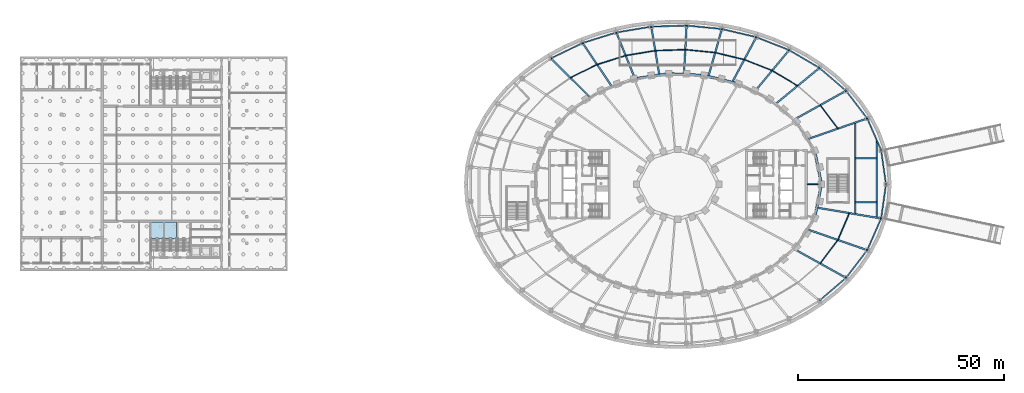
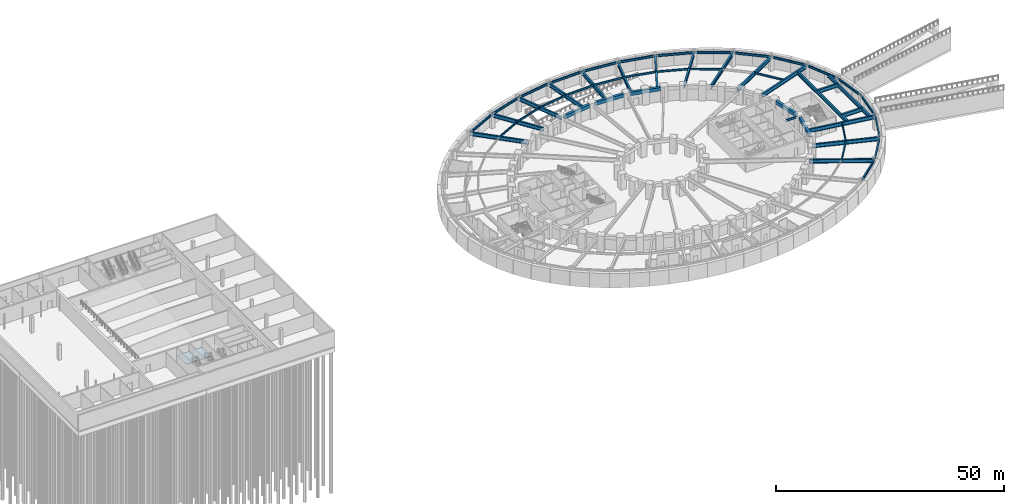
# One storey, part 9 of 32: 51 beams, 2 slabs, 2 elements without a shape of their own.
"""IFC4 building model written with IfcOpenShell, lengths in metres."""

from ifc_helpers import new_model, si_unit, direction, frame, origin, origin_2d, place, context, subcontext, project, spatial, polyline, rectangle, i_section, outline, extrude, material, layer, layer_set, material_profile, profile_set, type_object, element, aggregate, save


model = new_model("IFC4")

# Units and contexts
model_context = context("Model", 3, precision=1e-05, world=origin(), true_north=direction((0.0, 1.0)))
body_context = subcontext(model_context, "Body", "Model", "MODEL_VIEW")
ifc_project = project(units=[si_unit("LENGTHUNIT", "METRE"), si_unit("AREAUNIT", "SQUARE_METRE"), si_unit("VOLUMEUNIT", "CUBIC_METRE"), si_unit("PLANEANGLEUNIT", "RADIAN"), si_unit("MASSUNIT", "GRAM", prefix="KILO")], contexts=[model_context])

# Site, building, storey
site_placement = place(None, origin())
site = spatial("IfcSite", under=ifc_project, at=site_placement, CompositionType="ELEMENT")
building_placement = place(site_placement, origin())
building = spatial("IfcBuilding", under=site, at=building_placement, Name="Noorbagh Ring Tower", CompositionType="ELEMENT")
storey_placement = place(building_placement, frame((0.0, 0.0, -4.199951171875)))
storey = spatial("IfcBuildingStorey", under=building, at=storey_placement, Name="B1", CompositionType="ELEMENT", Elevation=-4.199951171875)

# Beams
ifc_material_1 = material(Name="Steel S355", Category="steel")
ifc_material_profile_1 = material_profile(ifc_material_1, i_section(OverallWidth=0.300048828125, OverallDepth=0.60009765625, WebThickness=0.015380859375, FlangeThickness=0.030029296875, FilletRadius=0.027099609375, at=origin_2d()), Name="HEB600")
ifc_profile_set_1 = profile_set([ifc_material_profile_1], Name="Steel S355")
beam_type_1 = type_object("IfcBeamType", Name="GND-EDGE-BEAM-HEB600", PredefinedType="BEAM", material=ifc_profile_set_1)
beam_1_placement = place(storey_placement, frame((50.646484375, 0.0, 3.550048828125), z_axis=(-0.14132764164, 0.989962876934, 0.0), x_axis=(-0.989962876934, -0.14132764164, 0.0)))
element("IfcBeam", 1, at=beam_1_placement, inside=storey, type_object=beam_type_1, Name="B1/bm/ERP-01", PredefinedType="BEAM", context=body_context, shape_type="SweptSolid", body=[
    extrude(i_section(OverallWidth=0.300048828125, OverallDepth=0.60009765625, WebThickness=0.015380859375, FlangeThickness=0.030029296875, FilletRadius=0.027099609375, at=origin_2d()), origin(), (0.0, 0.0, 1.0), 8.388671875),
])
beam_2_placement = place(storey_placement, frame((49.4609375, 8.304443359375, 3.550048828125), z_axis=(-0.401171506371, 0.916002959862, 0.0), x_axis=(-0.916002959862, -0.401171506371, 0.0)))
element("IfcBeam", 2, at=beam_2_placement, inside=storey, type_object=beam_type_1, Name="B1/bm/ERP-02", PredefinedType="BEAM", context=body_context, shape_type="SweptSolid", body=[
    extrude(i_section(OverallWidth=0.300048828125, OverallDepth=0.60009765625, WebThickness=0.015380859375, FlangeThickness=0.030029296875, FilletRadius=0.027099609375, at=origin_2d()), origin(), (0.0, 0.0, 1.0), 8.42431640625),
])
beam_3_placement = place(storey_placement, frame((46.081298828125, 16.021240234375, 3.550048828125), z_axis=(-0.608048680374, 0.793899743227, 0.0), x_axis=(-0.793899743227, -0.608048680374, 0.0)))
element("IfcBeam", 3, at=beam_3_placement, inside=storey, type_object=beam_type_1, Name="B1/bm/ERP-03", PredefinedType="BEAM", context=body_context, shape_type="SweptSolid", body=[
    extrude(i_section(OverallWidth=0.300048828125, OverallDepth=0.60009765625, WebThickness=0.015380859375, FlangeThickness=0.030029296875, FilletRadius=0.027099609375, at=origin_2d()), origin(), (0.0, 0.0, 1.0), 8.4755859375),
])
beam_4_placement = place(storey_placement, frame((40.927734375, 22.75, 3.550048828125), z_axis=(-0.758254861469, 0.651958254076, 0.0), x_axis=(-0.651958254076, -0.758254861469, 0.0)))
element("IfcBeam", 4, at=beam_4_placement, inside=storey, type_object=beam_type_1, Name="B1/bm/ERP-04", PredefinedType="BEAM", context=body_context, shape_type="SweptSolid", body=[
    extrude(i_section(OverallWidth=0.300048828125, OverallDepth=0.60009765625, WebThickness=0.015380859375, FlangeThickness=0.030029296875, FilletRadius=0.027099609375, at=origin_2d()), origin(), (0.0, 0.0, 1.0), 8.5234375),
])
beam_5_placement = place(storey_placement, frame((34.46484375, 28.306884765625, 3.550048828125), z_axis=(-0.8618652907, 0.507137279922, 0.0), x_axis=(-0.507137279922, -0.8618652907, 0.0)))
element("IfcBeam", 5, at=beam_5_placement, inside=storey, type_object=beam_type_1, Name="B1/bm/ERP-05", PredefinedType="BEAM", context=body_context, shape_type="SweptSolid", body=[
    extrude(i_section(OverallWidth=0.300048828125, OverallDepth=0.60009765625, WebThickness=0.015380859375, FlangeThickness=0.030029296875, FilletRadius=0.027099609375, at=origin_2d()), origin(), (0.0, 0.0, 1.0), 8.560302734375),
])
beam_6_placement = place(storey_placement, frame((27.0869140625, 32.648193359375, 3.550048828125), z_axis=(-0.930571668723, 0.366109777758, 0.0), x_axis=(-0.366109777758, -0.930571668723, 0.0)))
element("IfcBeam", 6, at=beam_6_placement, inside=storey, type_object=beam_type_1, Name="B1/bm/ERP-06", PredefinedType="BEAM", context=body_context, shape_type="SweptSolid", body=[
    extrude(i_section(OverallWidth=0.300048828125, OverallDepth=0.60009765625, WebThickness=0.015380859375, FlangeThickness=0.030029296875, FilletRadius=0.027099609375, at=origin_2d()), origin(), (0.0, 0.0, 1.0), 8.58642578125),
])
beam_7_placement = place(storey_placement, frame((19.0966796875, 35.791748046875, 3.550048828125), z_axis=(-0.973167977411, 0.230095822957, 0.0), x_axis=(-0.230095822957, -0.973167977411, 0.0)))
element("IfcBeam", 7, at=beam_7_placement, inside=storey, type_object=beam_type_1, Name="B1/bm/ERP-07", PredefinedType="BEAM", context=body_context, shape_type="SweptSolid", body=[
    extrude(i_section(OverallWidth=0.300048828125, OverallDepth=0.60009765625, WebThickness=0.015380859375, FlangeThickness=0.030029296875, FilletRadius=0.027099609375, at=origin_2d()), origin(), (0.0, 0.0, 1.0), 8.602783203125),
])
beam_8_placement = place(storey_placement, frame((10.724609375, 37.771240234375, 3.550048828125), z_axis=(-0.9951967317, 0.097895174616, 0.0), x_axis=(-0.097895174616, -0.9951967317, 0.0)))
element("IfcBeam", 8, at=beam_8_placement, inside=storey, type_object=beam_type_1, Name="B1/bm/ERP-08", PredefinedType="BEAM", context=body_context, shape_type="SweptSolid", body=[
    extrude(i_section(OverallWidth=0.300048828125, OverallDepth=0.60009765625, WebThickness=0.015380859375, FlangeThickness=0.030029296875, FilletRadius=0.027099609375, at=origin_2d()), origin(), (0.0, 0.0, 1.0), 8.611328125),
])
beam_9_placement = place(storey_placement, frame((2.154541015625, 38.6142578125, 3.550048828125), z_axis=(-0.999468589483, -0.032596604688, 0.0), x_axis=(0.032596604688, -0.999468589483, 0.0)))
element("IfcBeam", 9, at=beam_9_placement, inside=storey, type_object=beam_type_1, Name="B1/bm/ERP-09", PredefinedType="BEAM", context=body_context, shape_type="SweptSolid", body=[
    extrude(i_section(OverallWidth=0.300048828125, OverallDepth=0.60009765625, WebThickness=0.015380859375, FlangeThickness=0.030029296875, FilletRadius=0.027099609375, at=origin_2d()), origin(), (0.0, 0.0, 1.0), 8.61328125),
])
beam_10_placement = place(storey_placement, frame((-6.4541015625, 38.33349609375, 3.550048828125), z_axis=(-0.986523163949, -0.163621658075, 0.0), x_axis=(0.163621658075, -0.986523163949, 0.0)))
element("IfcBeam", 10, at=beam_10_placement, inside=storey, type_object=beam_type_1, Name="B1/bm/ERP-10", PredefinedType="BEAM", context=body_context, shape_type="SweptSolid", body=[
    extrude(i_section(OverallWidth=0.300048828125, OverallDepth=0.60009765625, WebThickness=0.015380859375, FlangeThickness=0.030029296875, FilletRadius=0.027099609375, at=origin_2d()), origin(), (0.0, 0.0, 1.0), 8.60791015625),
])
beam_11_placement = place(storey_placement, frame((-14.946044921875, 36.925048828125, 3.550048828125), z_axis=(-0.954717204091, -0.297514806713, 0.0), x_axis=(0.297514806713, -0.954717204091, 0.0)))
element("IfcBeam", 11, at=beam_11_placement, inside=storey, type_object=beam_type_1, Name="B1/bm/ERP-11", PredefinedType="BEAM", context=body_context, shape_type="SweptSolid", body=[
    extrude(i_section(OverallWidth=0.300048828125, OverallDepth=0.60009765625, WebThickness=0.015380859375, FlangeThickness=0.030029296875, FilletRadius=0.027099609375, at=origin_2d()), origin(), (0.0, 0.0, 1.0), 8.595703125),
])
beam_12_placement = place(storey_placement, frame((-23.152587890625, 34.36767578125, 3.550048828125), z_axis=(-0.89994920641, -0.435994754421, 0.0), x_axis=(0.435994754421, -0.89994920641, 0.0)))
element("IfcBeam", 12, at=beam_12_placement, inside=storey, type_object=beam_type_1, Name="B1/bm/ERP-12", PredefinedType="BEAM", context=body_context, shape_type="SweptSolid", body=[
    extrude(i_section(OverallWidth=0.300048828125, OverallDepth=0.60009765625, WebThickness=0.015380859375, FlangeThickness=0.030029296875, FilletRadius=0.027099609375, at=origin_2d()), origin(), (0.0, 0.0, 1.0), 8.57470703125),
])
beam_13_placement = place(storey_placement, frame((34.46484375, -28.306884765625, 3.550048828125), z_axis=(0.758254861469, 0.651958254076, 0.0), x_axis=(-0.651958254076, 0.758254861469, 0.0)))
element("IfcBeam", 13, at=beam_13_placement, inside=storey, type_object=beam_type_1, Name="B1/bm/ERP-30", PredefinedType="BEAM", context=body_context, shape_type="SweptSolid", body=[
    extrude(i_section(OverallWidth=0.300048828125, OverallDepth=0.60009765625, WebThickness=0.015380859375, FlangeThickness=0.030029296875, FilletRadius=0.027099609375, at=origin_2d()), origin(), (0.0, 0.0, 1.0), 8.5234375),
])
beam_14_placement = place(storey_placement, frame((40.927734375, -22.75, 3.550048828125), z_axis=(0.608048680374, 0.793899743227, 0.0), x_axis=(-0.793899743227, 0.608048680374, 0.0)))
element("IfcBeam", 14, at=beam_14_placement, inside=storey, type_object=beam_type_1, Name="B1/bm/ERP-31", PredefinedType="BEAM", context=body_context, shape_type="SweptSolid", body=[
    extrude(i_section(OverallWidth=0.300048828125, OverallDepth=0.60009765625, WebThickness=0.015380859375, FlangeThickness=0.030029296875, FilletRadius=0.027099609375, at=origin_2d()), origin(), (0.0, 0.0, 1.0), 8.4755859375),
])
beam_15_placement = place(storey_placement, frame((46.081298828125, -16.021240234375, 3.550048828125), z_axis=(0.401171506371, 0.916002959862, 0.0), x_axis=(-0.916002959862, 0.401171506371, 0.0)))
element("IfcBeam", 15, at=beam_15_placement, inside=storey, type_object=beam_type_1, Name="B1/bm/ERP-32", PredefinedType="BEAM", context=body_context, shape_type="SweptSolid", body=[
    extrude(i_section(OverallWidth=0.300048828125, OverallDepth=0.60009765625, WebThickness=0.015380859375, FlangeThickness=0.030029296875, FilletRadius=0.027099609375, at=origin_2d()), origin(), (0.0, 0.0, 1.0), 8.42431640625),
])
beam_16_placement = place(storey_placement, frame((49.4609375, -8.304443359375, 3.550048828125), z_axis=(0.14132764164, 0.989962876934, 0.0), x_axis=(-0.989962876934, 0.14132764164, 0.0)))
element("IfcBeam", 16, at=beam_16_placement, inside=storey, type_object=beam_type_1, Name="B1/bm/ERP-33", PredefinedType="BEAM", context=body_context, shape_type="SweptSolid", body=[
    extrude(i_section(OverallWidth=0.300048828125, OverallDepth=0.60009765625, WebThickness=0.015380859375, FlangeThickness=0.030029296875, FilletRadius=0.027099609375, at=origin_2d()), origin(), (0.0, 0.0, 1.0), 8.388671875),
])
ifc_material_2 = material(Name="Steel S355", Category="steel")
ifc_material_profile_2 = material_profile(ifc_material_2, i_section(OverallWidth=0.39990234375, OverallDepth=1.0, WebThickness=0.01611328125, FlangeThickness=0.0400390625, at=origin_2d()), Name="PG1000x400x16x40")
ifc_profile_set_2 = profile_set([ifc_material_profile_2], Name="Steel S355")
beam_type_2 = type_object("IfcBeamType", Name="GND-GIRDER-PG1000x400x16x40", PredefinedType="BEAM", material=ifc_profile_set_2)
beam_17_placement = place(storey_placement, frame((46.081298828125, 16.021240234375, 3.349853515625), z_axis=(-0.94453989429, -0.328396693185, 0.0), x_axis=(0.328396693185, -0.94453989429, 0.0)))
element("IfcBeam", 17, at=beam_17_placement, inside=storey, type_object=beam_type_2, Name="B1/bm/GRP-03", PredefinedType="BEAM", context=body_context, shape_type="SweptSolid", body=[
    extrude(i_section(OverallWidth=0.39990234375, OverallDepth=1.0, WebThickness=0.01611328125, FlangeThickness=0.0400390625, at=origin_2d()), origin(), (0.0, 0.0, 1.0), 15.12890625),
])
beam_18_placement = place(storey_placement, frame((40.927734375, 22.75, 3.349853515625), z_axis=(-0.874045637009, -0.485843827197, 0.0), x_axis=(0.485843827197, -0.874045637009, 0.0)))
element("IfcBeam", 18, at=beam_18_placement, inside=storey, type_object=beam_type_2, Name="B1/bm/GRP-04", PredefinedType="BEAM", context=body_context, shape_type="SweptSolid", body=[
    extrude(i_section(OverallWidth=0.39990234375, OverallDepth=1.0, WebThickness=0.01611328125, FlangeThickness=0.0400390625, at=origin_2d()), origin(), (0.0, 0.0, 1.0), 14.444580078125),
])
beam_19_placement = place(storey_placement, frame((34.46484375, 28.306884765625, 3.349853515625), z_axis=(-0.772763025599, -0.63469465593, 0.0), x_axis=(0.63469465593, -0.772763025599, 0.0)))
element("IfcBeam", 19, at=beam_19_placement, inside=storey, type_object=beam_type_2, Name="B1/bm/GRP-05", PredefinedType="BEAM", context=body_context, shape_type="SweptSolid", body=[
    extrude(i_section(OverallWidth=0.39990234375, OverallDepth=1.0, WebThickness=0.01611328125, FlangeThickness=0.0400390625, at=origin_2d()), origin(), (0.0, 0.0, 1.0), 13.723388671875),
])
beam_20_placement = place(storey_placement, frame((27.0869140625, 32.648193359375, 3.349853515625), z_axis=(-0.638516852805, -0.769607840841, 0.0), x_axis=(0.769607840841, -0.638516852805, 0.0)))
element("IfcBeam", 20, at=beam_20_placement, inside=storey, type_object=beam_type_2, Name="B1/bm/GRP-06", PredefinedType="BEAM", context=body_context, shape_type="SweptSolid", body=[
    extrude(i_section(OverallWidth=0.39990234375, OverallDepth=1.0, WebThickness=0.01611328125, FlangeThickness=0.0400390625, at=origin_2d()), origin(), (0.0, 0.0, 1.0), 12.943603515625),
])
beam_21_placement = place(storey_placement, frame((19.0966796875, 35.791748046875, 3.349853515625), z_axis=(-0.470746944877, -0.88226827773, 0.0), x_axis=(0.88226827773, -0.470746944877, 0.0)))
element("IfcBeam", 21, at=beam_21_placement, inside=storey, type_object=beam_type_2, Name="B1/bm/GRP-07", PredefinedType="BEAM", context=body_context, shape_type="SweptSolid", body=[
    extrude(i_section(OverallWidth=0.39990234375, OverallDepth=1.0, WebThickness=0.01611328125, FlangeThickness=0.0400390625, at=origin_2d()), origin(), (0.0, 0.0, 1.0), 12.375),
])
beam_22_placement = place(storey_placement, frame((10.724609375, 37.771240234375, 3.349853515625), z_axis=(-0.273130016452, -0.961977127645, 0.0), x_axis=(0.961977127645, -0.273130016452, 0.0)))
element("IfcBeam", 22, at=beam_22_placement, inside=storey, type_object=beam_type_2, Name="B1/bm/GRP-08", PredefinedType="BEAM", context=body_context, shape_type="SweptSolid", body=[
    extrude(i_section(OverallWidth=0.39990234375, OverallDepth=1.0, WebThickness=0.01611328125, FlangeThickness=0.0400390625, at=origin_2d()), origin(), (0.0, 0.0, 1.0), 11.939208984375),
])
beam_23_placement = place(storey_placement, frame((2.154541015625, 38.6142578125, 3.349853515625), z_axis=(-0.055716608816, -0.998446623261, 0.0), x_axis=(0.998446623261, -0.055716608816, 0.0)))
element("IfcBeam", 23, at=beam_23_placement, inside=storey, type_object=beam_type_2, Name="B1/bm/GRP-09", PredefinedType="BEAM", context=body_context, shape_type="SweptSolid", body=[
    extrude(i_section(OverallWidth=0.39990234375, OverallDepth=1.0, WebThickness=0.01611328125, FlangeThickness=0.0400390625, at=origin_2d()), origin(), (0.0, 0.0, 1.0), 11.734619140625),
])
beam_24_placement = place(storey_placement, frame((-6.4541015625, 38.33349609375, 3.349853515625), z_axis=(0.166032765637, -0.986120236449, 0.0), x_axis=(0.986120236449, 0.166032765637, 0.0)))
element("IfcBeam", 24, at=beam_24_placement, inside=storey, type_object=beam_type_2, Name="B1/bm/GRP-10", PredefinedType="BEAM", context=body_context, shape_type="SweptSolid", body=[
    extrude(i_section(OverallWidth=0.39990234375, OverallDepth=1.0, WebThickness=0.01611328125, FlangeThickness=0.0400390625, at=origin_2d()), origin(), (0.0, 0.0, 1.0), 11.82373046875),
])
beam_25_placement = place(storey_placement, frame((-14.946044921875, 36.925048828125, 3.349853515625), z_axis=(0.375201842514, -0.926943135998, 0.0), x_axis=(0.926943135998, 0.375201842514, 0.0)))
element("IfcBeam", 25, at=beam_25_placement, inside=storey, type_object=beam_type_2, Name="B1/bm/GRP-11", PredefinedType="BEAM", context=body_context, shape_type="SweptSolid", body=[
    extrude(i_section(OverallWidth=0.39990234375, OverallDepth=1.0, WebThickness=0.01611328125, FlangeThickness=0.0400390625, at=origin_2d()), origin(), (0.0, 0.0, 1.0), 12.094970703125),
])
beam_26_placement = place(storey_placement, frame((-23.152587890625, 34.36767578125, 3.349853515625), z_axis=(0.558711358029, -0.829362175656, 0.0), x_axis=(0.829362175656, 0.558711358029, 0.0)))
element("IfcBeam", 26, at=beam_26_placement, inside=storey, type_object=beam_type_2, Name="B1/bm/GRP-12", PredefinedType="BEAM", context=body_context, shape_type="SweptSolid", body=[
    extrude(i_section(OverallWidth=0.39990234375, OverallDepth=1.0, WebThickness=0.01611328125, FlangeThickness=0.0400390625, at=origin_2d()), origin(), (0.0, 0.0, 1.0), 12.6630859375),
])
beam_27_placement = place(storey_placement, frame((-30.869384765625, 30.629150390625, 3.349853515625), z_axis=(0.70986613718, -0.704336615039, 0.0), x_axis=(0.704336615039, 0.70986613718, 0.0)))
element("IfcBeam", 27, at=beam_27_placement, inside=storey, type_object=beam_type_2, Name="B1/bm/GRP-13", PredefinedType="BEAM", context=body_context, shape_type="SweptSolid", body=[
    extrude(i_section(OverallWidth=0.39990234375, OverallDepth=1.0, WebThickness=0.01611328125, FlangeThickness=0.0400390625, at=origin_2d()), origin(), (0.0, 0.0, 1.0), 13.333984375),
])
beam_28_placement = place(storey_placement, frame((40.927734375, -22.75, 3.349853515625), z_axis=(-0.874045637009, 0.485843827197, 0.0), x_axis=(-0.485843827197, -0.874045637009, 0.0)))
element("IfcBeam", 28, at=beam_28_placement, inside=storey, type_object=beam_type_2, Name="B1/bm/GRP-31", PredefinedType="BEAM", context=body_context, shape_type="SweptSolid", body=[
    extrude(i_section(OverallWidth=0.39990234375, OverallDepth=1.0, WebThickness=0.01611328125, FlangeThickness=0.0400390625, at=origin_2d()), origin(), (0.0, 0.0, 1.0), 14.444580078125),
])
beam_29_placement = place(storey_placement, frame((46.081298828125, -16.021240234375, 3.349853515625), z_axis=(-0.94453989429, 0.328396693185, 0.0), x_axis=(-0.328396693185, -0.94453989429, 0.0)))
element("IfcBeam", 29, at=beam_29_placement, inside=storey, type_object=beam_type_2, Name="B1/bm/GRP-32", PredefinedType="BEAM", context=body_context, shape_type="SweptSolid", body=[
    extrude(i_section(OverallWidth=0.39990234375, OverallDepth=1.0, WebThickness=0.01611328125, FlangeThickness=0.0400390625, at=origin_2d()), origin(), (0.0, 0.0, 1.0), 15.12890625),
])
beam_30_placement = place(storey_placement, frame((49.4609375, -8.304443359375, 3.349853515625), z_axis=(-0.986194768087, 0.165589490602, 0.0), x_axis=(-0.165589490602, -0.986194768087, 0.0)))
element("IfcBeam", 30, at=beam_30_placement, inside=storey, type_object=beam_type_2, Name="B1/bm/GRP-33", PredefinedType="BEAM", context=body_context, shape_type="SweptSolid", body=[
    extrude(i_section(OverallWidth=0.39990234375, OverallDepth=1.0, WebThickness=0.01611328125, FlangeThickness=0.0400390625, at=origin_2d()), origin(), (0.0, 0.0, 1.0), 15.62841796875),
])
beam_31_placement = place(storey_placement, frame((43.14990234375, -7.244873046875, 3.349853515625), z_axis=(0.0, 1.0, 0.0), x_axis=(-1.0, 0.0, 0.0)))
element("IfcBeam", 31, at=beam_31_placement, inside=storey, type_object=beam_type_2, Name="B1/bm/WB-ST-P4-W", PredefinedType="BEAM", context=body_context, shape_type="SweptSolid", body=[
    extrude(i_section(OverallWidth=0.39990234375, OverallDepth=1.0, WebThickness=0.01611328125, FlangeThickness=0.0400390625, at=origin_2d()), origin(), (0.0, 0.0, 1.0), 22.246826171875),
])
beam_32_placement = place(storey_placement, frame((48.39990234375, -8.126220703125, 3.349853515625), z_axis=(0.0, 1.0, 0.0), x_axis=(-1.0, 0.0, 0.0)))
element("IfcBeam", 32, at=beam_32_placement, inside=storey, type_object=beam_type_2, Name="B1/bm/WB-ST-P4-E", PredefinedType="BEAM", context=body_context, shape_type="SweptSolid", body=[
    extrude(i_section(OverallWidth=0.39990234375, OverallDepth=1.0, WebThickness=0.01611328125, FlangeThickness=0.0400390625, at=origin_2d()), origin(), (0.0, 0.0, 1.0), 18.85302734375),
])
for number, where, z_axis, x_axis, name in (
    (33, (43.14990234375, 6.35009765625, 3.349853515625), (1.0, 0.0, 0.0), (0.0, 1.0, 0.0), "B1/bm/WB-ST-P4-N"),
    (34, (43.14990234375, -4.35009765625, 3.349853515625), (1.0, 0.0, 0.0), (0.0, 1.0, 0.0), "B1/bm/WB-ST-P4-S"),
):
    element("IfcBeam", number, at=place(storey_placement, frame(where, z_axis=z_axis, x_axis=x_axis)), inside=storey, type_object=beam_type_2, Name=name, PredefinedType="BEAM", context=body_context, shape_type="SweptSolid", body=[
        extrude(i_section(OverallWidth=0.39990234375, OverallDepth=1.0, WebThickness=0.01611328125, FlangeThickness=0.0400390625, at=origin_2d()), origin(), (0.0, 0.0, 1.0), 5.25),
    ])
ifc_material_3 = material(Name="Steel S355", Category="steel")
ifc_material_profile_3 = material_profile(ifc_material_3, i_section(OverallWidth=0.199951171875, OverallDepth=0.5, WebThickness=0.01025390625, FlangeThickness=0.01611328125, FilletRadius=0.02099609375, at=origin_2d()), Name="IPE500")
ifc_profile_set_3 = profile_set([ifc_material_profile_3], Name="Steel S355")
beam_type_3 = type_object("IfcBeamType", Name="GND-MID-BEAM-IPE500", PredefinedType="JOIST", material=ifc_profile_set_3)
beam_33_placement = place(storey_placement, frame((38.936279296875, 13.537109375, 3.599853515625), z_axis=(-0.603852432952, 0.79709612922, 0.0), x_axis=(-0.79709612922, -0.603852432952, 0.0)))
element("IfcBeam", 35, at=beam_33_placement, inside=storey, type_object=beam_type_3, Name="B1/bm/MRP-03", PredefinedType="JOIST", context=body_context, shape_type="SweptSolid", body=[
    extrude(i_section(OverallWidth=0.199951171875, OverallDepth=0.5, WebThickness=0.01025390625, FlangeThickness=0.01611328125, FilletRadius=0.02099609375, at=origin_2d()), origin(), (0.0, 0.0, 1.0), 7.15576171875),
])
beam_34_placement = place(storey_placement, frame((29.162353515625, 23.951904296875, 3.599853515625), z_axis=(-0.858046251749, 0.513572419293, 0.0), x_axis=(-0.513572419293, -0.858046251749, 0.0)))
element("IfcBeam", 36, at=beam_34_placement, inside=storey, type_object=beam_type_3, Name="B1/bm/MRP-05", PredefinedType="JOIST", context=body_context, shape_type="SweptSolid", body=[
    extrude(i_section(OverallWidth=0.199951171875, OverallDepth=0.5, WebThickness=0.01025390625, FlangeThickness=0.01611328125, FilletRadius=0.02099609375, at=origin_2d()), origin(), (0.0, 0.0, 1.0), 7.23486328125),
])
beam_35_placement = place(storey_placement, frame((22.95458984375, 27.66748046875, 3.599853515625), z_axis=(-0.930496782909, 0.36630006415, 0.0), x_axis=(-0.36630006415, -0.930496782909, 0.0)))
element("IfcBeam", 37, at=beam_35_placement, inside=storey, type_object=beam_type_3, Name="B1/bm/MRP-06", PredefinedType="JOIST", context=body_context, shape_type="SweptSolid", body=[
    extrude(i_section(OverallWidth=0.199951171875, OverallDepth=0.5, WebThickness=0.01025390625, FlangeThickness=0.01611328125, FilletRadius=0.02099609375, at=origin_2d()), origin(), (0.0, 0.0, 1.0), 7.276123046875),
])
beam_36_placement = place(storey_placement, frame((16.18408203125, 30.332763671875, 3.599853515625), z_axis=(-0.972568186564, 0.23261797541, 0.0), x_axis=(-0.23261797541, -0.972568186564, 0.0)))
element("IfcBeam", 38, at=beam_36_placement, inside=storey, type_object=beam_type_3, Name="B1/bm/MRP-07", PredefinedType="JOIST", context=body_context, shape_type="SweptSolid", body=[
    extrude(i_section(OverallWidth=0.199951171875, OverallDepth=0.5, WebThickness=0.01025390625, FlangeThickness=0.01611328125, FilletRadius=0.02099609375, at=origin_2d()), origin(), (0.0, 0.0, 1.0), 7.2900390625),
])
beam_37_placement = place(storey_placement, frame((9.093994140625, 32.028564453125, 3.599853515625), z_axis=(-0.99502493545, 0.099626190493, 0.0), x_axis=(-0.099626190493, -0.99502493545, 0.0)))
element("IfcBeam", 39, at=beam_37_placement, inside=storey, type_object=beam_type_3, Name="B1/bm/MRP-08", PredefinedType="JOIST", context=body_context, shape_type="SweptSolid", body=[
    extrude(i_section(OverallWidth=0.199951171875, OverallDepth=0.5, WebThickness=0.01025390625, FlangeThickness=0.01611328125, FilletRadius=0.02099609375, at=origin_2d()), origin(), (0.0, 0.0, 1.0), 7.302734375),
])
beam_38_placement = place(storey_placement, frame((1.82763671875, 32.756103515625, 3.599853515625), z_axis=(-0.999402620435, -0.034560125398, 0.0), x_axis=(0.034560125398, -0.999402620435, 0.0)))
element("IfcBeam", 40, at=beam_38_placement, inside=storey, type_object=beam_type_3, Name="B1/bm/MRP-09", PredefinedType="JOIST", context=body_context, shape_type="SweptSolid", body=[
    extrude(i_section(OverallWidth=0.199951171875, OverallDepth=0.5, WebThickness=0.01025390625, FlangeThickness=0.01611328125, FilletRadius=0.02099609375, at=origin_2d()), origin(), (0.0, 0.0, 1.0), 7.304443359375),
])
beam_39_placement = place(storey_placement, frame((-5.472412109375, 32.503662109375, 3.599853515625), z_axis=(-0.986756598534, -0.162207938309, 0.0), x_axis=(0.162207938309, -0.986756598534, 0.0)))
element("IfcBeam", 41, at=beam_39_placement, inside=storey, type_object=beam_type_3, Name="B1/bm/MRP-10", PredefinedType="JOIST", context=body_context, shape_type="SweptSolid", body=[
    extrude(i_section(OverallWidth=0.199951171875, OverallDepth=0.5, WebThickness=0.01025390625, FlangeThickness=0.01611328125, FilletRadius=0.02099609375, at=origin_2d()), origin(), (0.0, 0.0, 1.0), 7.30126953125),
])
beam_40_placement = place(storey_placement, frame((-12.677001953125, 31.3193359375, 3.599853515625), z_axis=(-0.9531202752, -0.302591706765, 0.0), x_axis=(0.302591706765, -0.9531202752, 0.0)))
element("IfcBeam", 42, at=beam_40_placement, inside=storey, type_object=beam_type_3, Name="B1/bm/MRP-11", PredefinedType="JOIST", context=body_context, shape_type="SweptSolid", body=[
    extrude(i_section(OverallWidth=0.199951171875, OverallDepth=0.5, WebThickness=0.01025390625, FlangeThickness=0.01611328125, FilletRadius=0.02099609375, at=origin_2d()), origin(), (0.0, 0.0, 1.0), 7.279296875),
])
beam_41_placement = place(storey_placement, frame((-19.614990234375, 29.11669921875, 3.599853515625), z_axis=(-0.898658812704, -0.438648308271, 0.0), x_axis=(0.438648308271, -0.898658812704, 0.0)))
element("IfcBeam", 43, at=beam_41_placement, inside=storey, type_object=beam_type_3, Name="B1/bm/MRP-12", PredefinedType="JOIST", context=body_context, shape_type="SweptSolid", body=[
    extrude(i_section(OverallWidth=0.199951171875, OverallDepth=0.5, WebThickness=0.01025390625, FlangeThickness=0.01611328125, FilletRadius=0.02099609375, at=origin_2d()), origin(), (0.0, 0.0, 1.0), 7.257080078125),
])
beam_42_placement = place(storey_placement, frame((34.615234375, -19.240966796875, 3.599853515625), z_axis=(0.603852432952, 0.79709612922, 0.0), x_axis=(-0.79709612922, 0.603852432952, 0.0)))
element("IfcBeam", 44, at=beam_42_placement, inside=storey, type_object=beam_type_3, Name="B1/bm/MRP-31", PredefinedType="JOIST", context=body_context, shape_type="SweptSolid", body=[
    extrude(i_section(OverallWidth=0.199951171875, OverallDepth=0.5, WebThickness=0.01025390625, FlangeThickness=0.01611328125, FilletRadius=0.02099609375, at=origin_2d()), origin(), (0.0, 0.0, 1.0), 7.15576171875),
])
beam_43_placement = place(storey_placement, frame((38.936279296875, -13.537109375, 3.599853515625), z_axis=(0.396441936779, 0.918059796943, 0.0), x_axis=(-0.918059796943, 0.396441936779, 0.0)))
element("IfcBeam", 45, at=beam_43_placement, inside=storey, type_object=beam_type_3, Name="B1/bm/MRP-32", PredefinedType="JOIST", context=body_context, shape_type="SweptSolid", body=[
    extrude(i_section(OverallWidth=0.199951171875, OverallDepth=0.5, WebThickness=0.01025390625, FlangeThickness=0.01611328125, FilletRadius=0.02099609375, at=origin_2d()), origin(), (0.0, 0.0, 1.0), 7.109130859375),
])
ifc_material_4 = material(Name="Steel S355", Category="steel")
ifc_material_profile_4 = material_profile(ifc_material_4, i_section(OverallWidth=0.219970703125, OverallDepth=0.60009765625, WebThickness=0.011962890625, FlangeThickness=0.01904296875, FilletRadius=0.02392578125, at=origin_2d()), Name="IPE600")
ifc_profile_set_4 = profile_set([ifc_material_profile_4], Name="Steel S355")
beam_type_4 = type_object("IfcBeamType", Name="STR-RAD-IPE600", PredefinedType="BEAM", material=ifc_profile_set_4)
beam_44_placement = place(storey_placement, frame((34.164794921875, 0.0, 3.550048828125), z_axis=(-1.0, 0.0, 0.0), x_axis=(0.0, -1.0, 0.0)))
element("IfcBeam", 46, at=beam_44_placement, inside=storey, type_object=beam_type_4, Name="B1/bm/RD01", PredefinedType="BEAM", context=body_context, shape_type="SweptSolid", body=[
    extrude(i_section(OverallWidth=0.219970703125, OverallDepth=0.60009765625, WebThickness=0.011962890625, FlangeThickness=0.01904296875, FilletRadius=0.02392578125, at=origin_2d()), origin(), (0.0, 0.0, 1.0), 2.684814453125),
])
ifc_material_5 = material(Name="Concrete C40/50", Category="concrete")
ifc_material_profile_5 = material_profile(ifc_material_5, rectangle(XDim=0.60009765625, YDim=0.89990234375, at=origin_2d()), Name="RC600x900")
ifc_profile_set_5 = profile_set([ifc_material_profile_5], Name="Concrete C40/50")
beam_type_5 = type_object("IfcBeamType", Name="STR-SB-RC600x900-C40-50", PredefinedType="BEAM", material=ifc_profile_set_5)
beam_45_placement = place(storey_placement, frame((34.78759765625, 0.7802734375, 3.39990234375), z_axis=(-0.197212569156, 0.980360751238, 0.0), x_axis=(-0.980360751238, -0.197212569156, 0.0)))
element("IfcBeam", 47, at=beam_45_placement, inside=storey, type_object=beam_type_5, Name="B1/bm/SP01", PredefinedType="BEAM", context=body_context, shape_type="SweptSolid", body=[
    extrude(rectangle(XDim=0.60009765625, YDim=0.89990234375, at=origin_2d()), origin(), (0.0, 0.0, 1.0), 6.72216796875),
])
beam_46_placement = place(storey_placement, frame((13.9482421875, 24.62890625, 3.39990234375), z_axis=(-0.970827667704, 0.239778313491, 0.0), x_axis=(-0.239778313491, -0.970827667704, 0.0)))
element("IfcBeam", 48, at=beam_46_placement, inside=storey, type_object=beam_type_5, Name="B1/bm/SP09", PredefinedType="BEAM", context=body_context, shape_type="SweptSolid", body=[
    extrude(rectangle(XDim=0.60009765625, YDim=0.89990234375, at=origin_2d()), origin(), (0.0, 0.0, 1.0), 6.981689453125),
])
beam_47_placement = place(storey_placement, frame((5.62646484375, 26.528076171875, 3.39990234375), z_axis=(-0.998867742854, 0.047573440964, 0.0), x_axis=(-0.047573440964, -0.998867742854, 0.0)))
element("IfcBeam", 49, at=beam_47_placement, inside=storey, type_object=beam_type_5, Name="B1/bm/SP11", PredefinedType="BEAM", context=body_context, shape_type="SweptSolid", body=[
    extrude(rectangle(XDim=0.60009765625, YDim=0.89990234375, at=origin_2d()), origin(), (0.0, 0.0, 1.0), 6.99462890625),
])
beam_48_placement = place(storey_placement, frame((-2.9189453125, 26.785888671875, 3.39990234375), z_axis=(-0.989714845194, -0.143054273623, 0.0), x_axis=(0.143054273623, -0.989714845194, 0.0)))
element("IfcBeam", 50, at=beam_48_placement, inside=storey, type_object=beam_type_5, Name="B1/bm/SP13", PredefinedType="BEAM", context=body_context, shape_type="SweptSolid", body=[
    extrude(rectangle(XDim=0.60009765625, YDim=0.89990234375, at=origin_2d()), origin(), (0.0, 0.0, 1.0), 6.990234375),
])
beam_49_placement = place(storey_placement, frame((33.4619140625, -7.370361328125, 3.39990234375), z_axis=(0.197212569156, 0.980360751238, 0.0), x_axis=(-0.980360751238, 0.197212569156, 0.0)))
element("IfcBeam", 51, at=beam_49_placement, inside=storey, type_object=beam_type_5, Name="B1/bm/SP45", PredefinedType="BEAM", context=body_context, shape_type="SweptSolid", body=[
    extrude(rectangle(XDim=0.60009765625, YDim=0.89990234375, at=origin_2d()), origin(), (0.0, 0.0, 1.0), 6.72216796875),
])

# Stair, slab
ifc_material_6 = material(Name="Concrete C40/50", Category="concrete")
stair_type = type_object("IfcStairType", Name="TH-STAIR", PredefinedType="HALF_TURN_STAIR", material=ifc_material_6)
stair_1_placement = place(storey_placement, origin())
stair_1 = element("IfcStair", 52, at=stair_1_placement, inside=storey, type_object=stair_type, Name="B1 Exit stair S1", PredefinedType="HALF_TURN_STAIR")
ifc_material_7 = material(Name="Concrete C40/50", Category="concrete")
ifc_layer = layer(ifc_material_7, 0.199951171875)
ifc_layer_set = layer_set([ifc_layer], Name="Concrete C40/50")
slab_type = type_object("IfcSlabType", Name="TH-STAIR-LANDING", PredefinedType="LANDING", material=ifc_layer_set)
slab_1_placement = place(storey_placement, frame((0.0, 0.0, 1.89990234375)))
slab_1 = element("IfcSlab", 53, at=slab_1_placement, type_object=slab_type, Name="TSS1 landing 1", PredefinedType="LANDING", context=body_context, shape_type="SweptSolid", body=[
    extrude(outline(polyline([(-121.89990234375, -13.169921875), (-121.89990234375, -9.199951171875), (-124.85009765625, -9.199951171875), (-124.85009765625, -13.169921875), (-121.89990234375, -13.169921875)])), origin(), (0.0, 0.0, 1.0), 0.199951171875),
])
aggregate(stair_1, [slab_1])

stair_2_placement = place(storey_placement, origin())
stair_2 = element("IfcStair", 54, at=stair_2_placement, inside=storey, type_object=stair_type, Name="B1 Exit stair S3", PredefinedType="HALF_TURN_STAIR")
slab_2_placement = place(storey_placement, frame((0.0, 0.0, 1.89990234375)))
slab_2 = element("IfcSlab", 55, at=slab_2_placement, type_object=slab_type, Name="TSS3 landing 1", PredefinedType="LANDING", context=body_context, shape_type="SweptSolid", body=[
    extrude(outline(polyline([(-125.14990234375, -13.169921875), (-125.14990234375, -9.199951171875), (-128.10009765625, -9.199951171875), (-128.10009765625, -13.169921875), (-125.14990234375, -13.169921875)])), origin(), (0.0, 0.0, 1.0), 0.199951171875),
])
aggregate(stair_2, [slab_2])

save(model, "model.ifc")
